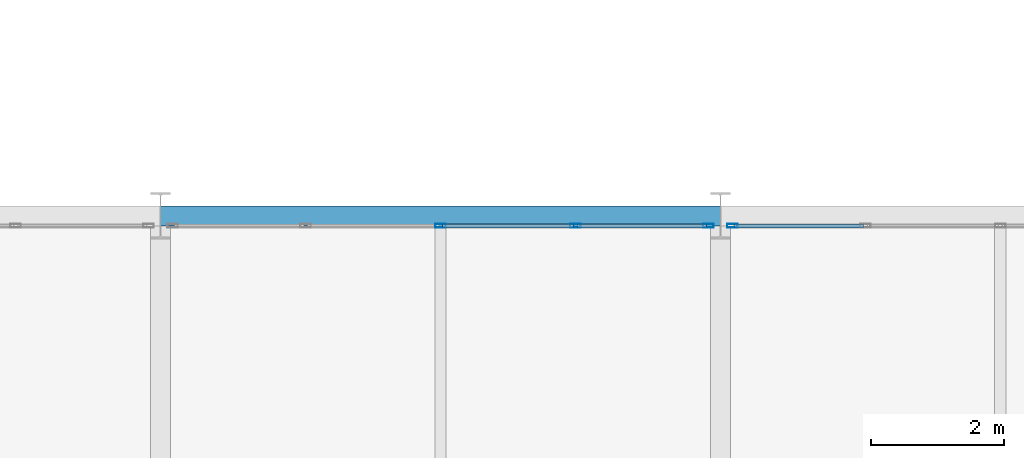
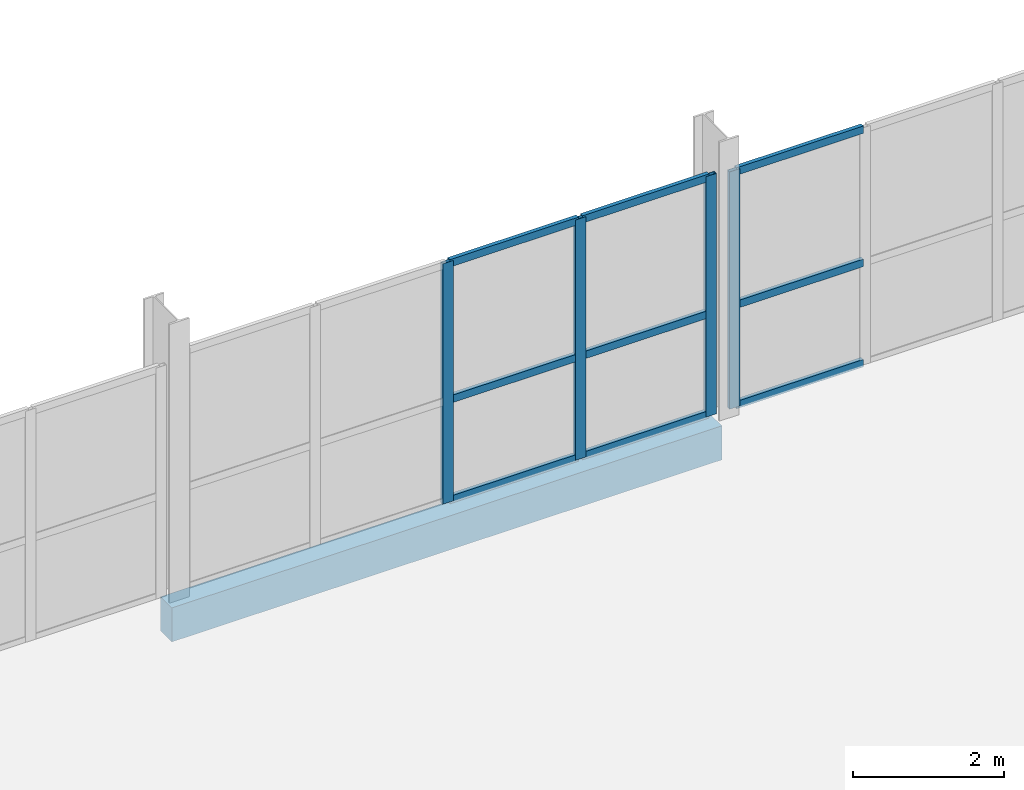
# One storey, part 83 of 113: 13 members, 1 beam, 2 elements without a shape of their own.
"""IFC4 building model written with IfcOpenShell, lengths in metres."""

from ifc_helpers import new_model, si_unit, direction, frame, origin, origin_2d, place, context, subcontext, project, spatial, rectangle, hollow_rectangle, extrude, material, material_profile, profile_set, type_object, element, aggregate, save


model = new_model("IFC4")

# Units and contexts
model_context = context("Model", 3, precision=1e-05, world=origin(), true_north=direction((0.0, 1.0)))
body_context = subcontext(model_context, "Body", "Model", "MODEL_VIEW")
ifc_project = project(units=[si_unit("LENGTHUNIT", "METRE"), si_unit("AREAUNIT", "SQUARE_METRE"), si_unit("VOLUMEUNIT", "CUBIC_METRE"), si_unit("PLANEANGLEUNIT", "RADIAN"), si_unit("MASSUNIT", "GRAM", prefix="KILO")], contexts=[model_context])

# Site, building, storey
site_placement = place(None, origin())
site = spatial("IfcSite", under=ifc_project, at=site_placement, CompositionType="ELEMENT")
building_placement = place(site_placement, origin())
building = spatial("IfcBuilding", under=site, at=building_placement, Name="Veltarok Museum of Natural Sciences", CompositionType="ELEMENT")
storey_placement = place(building_placement, frame((0.0, 0.0, 8.39990234375)))
storey = spatial("IfcBuildingStorey", under=building, at=storey_placement, Name="L01", CompositionType="ELEMENT", Elevation=8.39990234375)

# Curtain wall, members
ifc_material_1 = material(Name="Low-iron triple insulated glass", Category="glass")
curtain_wall_type_1 = type_object("IfcCurtainWallType", Name="Curtain Wall System CW-V5N-L01-0-810x388 (CW-V5N L01 810x388cm)", PredefinedType="NOTDEFINED", material=ifc_material_1)
curtain_wall_1_placement = place(storey_placement, origin())
curtain_wall_1 = element("IfcCurtainWall", 1, at=curtain_wall_1_placement, inside=storey, type_object=curtain_wall_type_1, Name="Curtain Wall CW-V5N-L01-0-810x388 CW-0200", PredefinedType="NOTDEFINED")
ifc_material_2 = material(Name="Thermally broken anodised aluminium", Category="aluminium")
ifc_material_profile_1 = material_profile(ifc_material_2, hollow_rectangle(XDim=0.06005859375, YDim=0.1201171875, WallThickness=0.0048828125, at=origin_2d()), Name="CW TRANSOM 60x120x5")
ifc_profile_set_1 = profile_set([ifc_material_profile_1], Name="Thermally broken anodised aluminium")
member_type_1 = type_object("IfcMemberType", Name="Curtain Wall Horizontal Transom 60x120x5", PredefinedType="USERDEFINED", material=ifc_profile_set_1)
member_1_placement = place(storey_placement, frame((148.989990234375, 71.85009765625, 0.028076171875), z_axis=(-1.0, 0.0, 0.0), x_axis=(0.0, -1.0, 0.0)))
member_1 = element("IfcMember", 2, at=member_1_placement, type_object=member_type_1, Name="CW-V5N-L01-0-810x388 transom 1.1", ObjectType="TRANSOM", PredefinedType="USERDEFINED", context=body_context, shape_type="SweptSolid", body=[
    extrude(hollow_rectangle(XDim=0.06005859375, YDim=0.1201171875, WallThickness=0.0048828125, at=origin_2d()), origin(), (0.0, 0.0, 1.0), 1.93505859375),
])
member_2_placement = place(storey_placement, frame((148.989990234375, 71.85009765625, 1.648193359375), z_axis=(-1.0, 0.0, 0.0), x_axis=(0.0, -1.0, 0.0)))
member_2 = element("IfcMember", 3, at=member_2_placement, type_object=member_type_1, Name="CW-V5N-L01-0-810x388 transom 1.2", ObjectType="TRANSOM", PredefinedType="USERDEFINED", context=body_context, shape_type="SweptSolid", body=[
    extrude(hollow_rectangle(XDim=0.06005859375, YDim=0.1201171875, WallThickness=0.0048828125, at=origin_2d()), origin(), (0.0, 0.0, 1.0), 1.93505859375),
])
member_3_placement = place(storey_placement, frame((148.989990234375, 71.85009765625, 3.85009765625), z_axis=(-1.0, 0.0, 0.0), x_axis=(0.0, -1.0, 0.0)))
member_3 = element("IfcMember", 4, at=member_3_placement, type_object=member_type_1, Name="CW-V5N-L01-0-810x388 transom 1.3", ObjectType="TRANSOM", PredefinedType="USERDEFINED", context=body_context, shape_type="SweptSolid", body=[
    extrude(hollow_rectangle(XDim=0.06005859375, YDim=0.1201171875, WallThickness=0.0048828125, at=origin_2d()), origin(), (0.0, 0.0, 1.0), 1.93505859375),
])
member_4_placement = place(storey_placement, frame((146.9951171875, 71.85009765625, 0.028076171875), z_axis=(-1.0, 0.0, 0.0), x_axis=(0.0, -1.0, 0.0)))
member_4 = element("IfcMember", 5, at=member_4_placement, type_object=member_type_1, Name="CW-V5N-L01-0-810x388 transom 2.1", ObjectType="TRANSOM", PredefinedType="USERDEFINED", context=body_context, shape_type="SweptSolid", body=[
    extrude(hollow_rectangle(XDim=0.06005859375, YDim=0.1201171875, WallThickness=0.0048828125, at=origin_2d()), origin(), (0.0, 0.0, 1.0), 1.965087890625),
])
member_5_placement = place(storey_placement, frame((146.9951171875, 71.85009765625, 1.648193359375), z_axis=(-1.0, 0.0, 0.0), x_axis=(0.0, -1.0, 0.0)))
member_5 = element("IfcMember", 6, at=member_5_placement, type_object=member_type_1, Name="CW-V5N-L01-0-810x388 transom 2.2", ObjectType="TRANSOM", PredefinedType="USERDEFINED", context=body_context, shape_type="SweptSolid", body=[
    extrude(hollow_rectangle(XDim=0.06005859375, YDim=0.1201171875, WallThickness=0.0048828125, at=origin_2d()), origin(), (0.0, 0.0, 1.0), 1.965087890625),
])
member_6_placement = place(storey_placement, frame((146.9951171875, 71.85009765625, 3.85009765625), z_axis=(-1.0, 0.0, 0.0), x_axis=(0.0, -1.0, 0.0)))
member_6 = element("IfcMember", 7, at=member_6_placement, type_object=member_type_1, Name="CW-V5N-L01-0-810x388 transom 2.3", ObjectType="TRANSOM", PredefinedType="USERDEFINED", context=body_context, shape_type="SweptSolid", body=[
    extrude(hollow_rectangle(XDim=0.06005859375, YDim=0.1201171875, WallThickness=0.0048828125, at=origin_2d()), origin(), (0.0, 0.0, 1.0), 1.965087890625),
])

curtain_wall_type_2 = type_object("IfcCurtainWallType", Name="Curtain Wall System CW-V5N-L01-1-810x383 (CW-V5N L01 810x383cm)", PredefinedType="NOTDEFINED", material=ifc_material_1)
curtain_wall_2_placement = place(storey_placement, origin())
curtain_wall_2 = element("IfcCurtainWall", 8, at=curtain_wall_2_placement, inside=storey, type_object=curtain_wall_type_2, Name="Curtain Wall CW-V5N-L01-1-810x383 CW-0201", PredefinedType="NOTDEFINED")
member_7_placement = place(storey_placement, frame((151.344970703125, 71.85009765625, 0.028076171875), z_axis=(-1.0, 0.0, 0.0), x_axis=(0.0, -1.0, 0.0)))
member_7 = element("IfcMember", 9, at=member_7_placement, type_object=member_type_1, Name="CW-V5N-L01-1-810x383 transom 4.1", ObjectType="TRANSOM", PredefinedType="USERDEFINED", context=body_context, shape_type="SweptSolid", body=[
    extrude(hollow_rectangle(XDim=0.06005859375, YDim=0.1201171875, WallThickness=0.0048828125, at=origin_2d()), origin(), (0.0, 0.0, 1.0), 1.93505859375),
])
member_8_placement = place(storey_placement, frame((151.344970703125, 71.85009765625, 1.648193359375), z_axis=(-1.0, 0.0, 0.0), x_axis=(0.0, -1.0, 0.0)))
member_8 = element("IfcMember", 10, at=member_8_placement, type_object=member_type_1, Name="CW-V5N-L01-1-810x383 transom 4.2", ObjectType="TRANSOM", PredefinedType="USERDEFINED", context=body_context, shape_type="SweptSolid", body=[
    extrude(hollow_rectangle(XDim=0.06005859375, YDim=0.1201171875, WallThickness=0.0048828125, at=origin_2d()), origin(), (0.0, 0.0, 1.0), 1.93505859375),
])
member_9_placement = place(storey_placement, frame((151.344970703125, 71.85009765625, 3.800048828125), z_axis=(-1.0, 0.0, 0.0), x_axis=(0.0, -1.0, 0.0)))
member_9 = element("IfcMember", 11, at=member_9_placement, type_object=member_type_1, Name="CW-V5N-L01-1-810x383 transom 4.3", ObjectType="TRANSOM", PredefinedType="USERDEFINED", context=body_context, shape_type="SweptSolid", body=[
    extrude(hollow_rectangle(XDim=0.06005859375, YDim=0.1201171875, WallThickness=0.0048828125, at=origin_2d()), origin(), (0.0, 0.0, 1.0), 1.93505859375),
])

# Member
ifc_material_profile_2 = material_profile(ifc_material_2, hollow_rectangle(XDim=0.06005859375, YDim=0.159912109375, WallThickness=0.0048828125, at=origin_2d()), Name="CW MULLION 60x160x5")
ifc_profile_set_2 = profile_set([ifc_material_profile_2], Name="Thermally broken anodised aluminium")
member_type_2 = type_object("IfcMemberType", Name="Curtain Wall Vertical Mullion 60x160x5", PredefinedType="MULLION", material=ifc_profile_set_2)
member_10_placement = place(storey_placement, frame((149.02001953125, 71.85009765625, -0.001953125), z_axis=(0.0, 0.0, 1.0), x_axis=(0.0, -1.0, 0.0)))
member_10 = element("IfcMember", 12, at=member_10_placement, type_object=member_type_2, Name="CW-V5N-L01-0-810x388 mullion 1", PredefinedType="MULLION", context=body_context, shape_type="SweptSolid", body=[
    extrude(hollow_rectangle(XDim=0.06005859375, YDim=0.159912109375, WallThickness=0.0048828125, at=origin_2d()), origin(), (0.0, 0.0, 1.0), 3.882080078125),
])

member_11_placement = place(storey_placement, frame((147.02490234375, 71.85009765625, -0.001953125), z_axis=(0.0, 0.0, 1.0), x_axis=(0.0, -1.0, 0.0)))
member_11 = element("IfcMember", 13, at=member_11_placement, type_object=member_type_2, Name="CW-V5N-L01-0-810x388 mullion 2", PredefinedType="MULLION", context=body_context, shape_type="SweptSolid", body=[
    extrude(hollow_rectangle(XDim=0.06005859375, YDim=0.159912109375, WallThickness=0.0048828125, at=origin_2d()), origin(), (0.0, 0.0, 1.0), 3.882080078125),
])

member_12_placement = place(storey_placement, frame((145.0, 71.85009765625, -0.001953125), z_axis=(0.0, 0.0, 1.0), x_axis=(0.0, -1.0, 0.0)))
member_12 = element("IfcMember", 14, at=member_12_placement, type_object=member_type_2, Name="CW-V5N-L01-0-810x388 mullion 3", PredefinedType="MULLION", context=body_context, shape_type="SweptSolid", body=[
    extrude(hollow_rectangle(XDim=0.06005859375, YDim=0.159912109375, WallThickness=0.0048828125, at=origin_2d()), origin(), (0.0, 0.0, 1.0), 3.882080078125),
])

aggregate(curtain_wall_1, [member_10, member_11, member_12, member_1, member_2, member_3, member_4, member_5, member_6])

member_13_placement = place(storey_placement, frame((149.3798828125, 71.85009765625, -0.001953125), z_axis=(0.0, 0.0, 1.0), x_axis=(0.0, -1.0, 0.0)))
member_13 = element("IfcMember", 15, at=member_13_placement, type_object=member_type_2, Name="CW-V5N-L01-1-810x383 mullion 5", PredefinedType="MULLION", context=body_context, shape_type="SweptSolid", body=[
    extrude(hollow_rectangle(XDim=0.06005859375, YDim=0.159912109375, WallThickness=0.0048828125, at=origin_2d()), origin(), (0.0, 0.0, 1.0), 3.83203125),
])

aggregate(curtain_wall_2, [member_13, member_7, member_8, member_9])

# Beam
ifc_material_3 = material(Name="Precast concrete C40/50", Category="concrete")
ifc_material_profile_3 = material_profile(ifc_material_3, rectangle(XDim=0.300048828125, YDim=0.550048828125, at=origin_2d()), Name="RC 300x550")
ifc_profile_set_3 = profile_set([ifc_material_profile_3], Name="Precast concrete C40/50")
beam_type = type_object("IfcBeamType", Name="East Wing Precast Spandrel RC 300x550", PredefinedType="SPANDREL", material=ifc_profile_set_3)
beam_placement = place(storey_placement, frame((140.800048828125, 72.0, -0.52490234375), z_axis=(1.0, 0.0, 0.0), x_axis=(0.0, 1.0, 0.0)))
element("IfcBeam", 16, at=beam_placement, inside=storey, type_object=beam_type, Name="Beam BM-SP02 L01 17-18/H", PredefinedType="SPANDREL", context=body_context, shape_type="SweptSolid", body=[
    extrude(rectangle(XDim=0.300048828125, YDim=0.550048828125, at=origin_2d()), origin(), (0.0, 0.0, 1.0), 8.39990234375),
])

save(model, "model.ifc")
